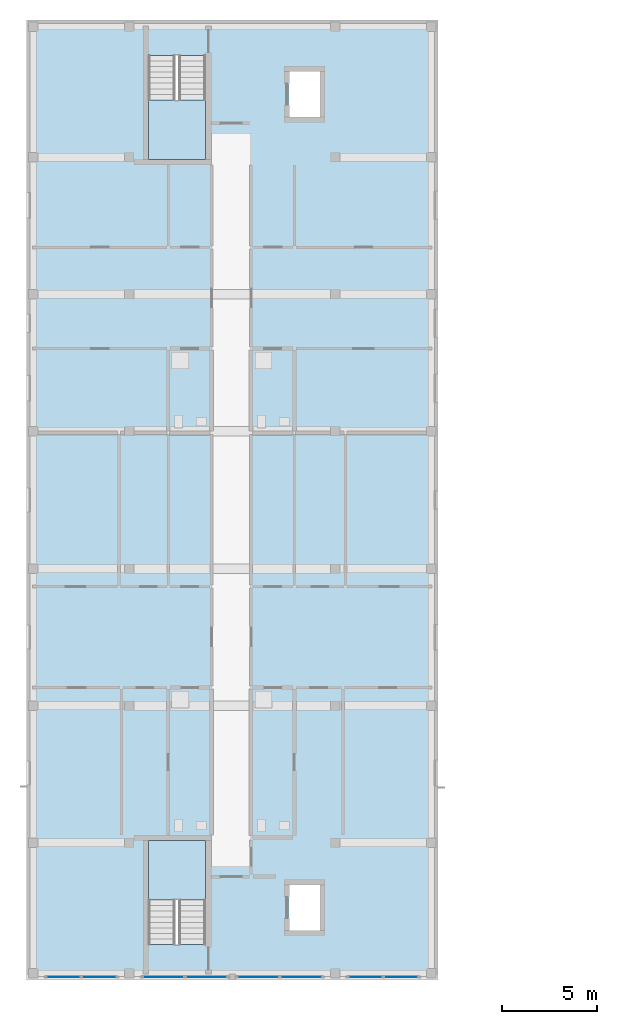
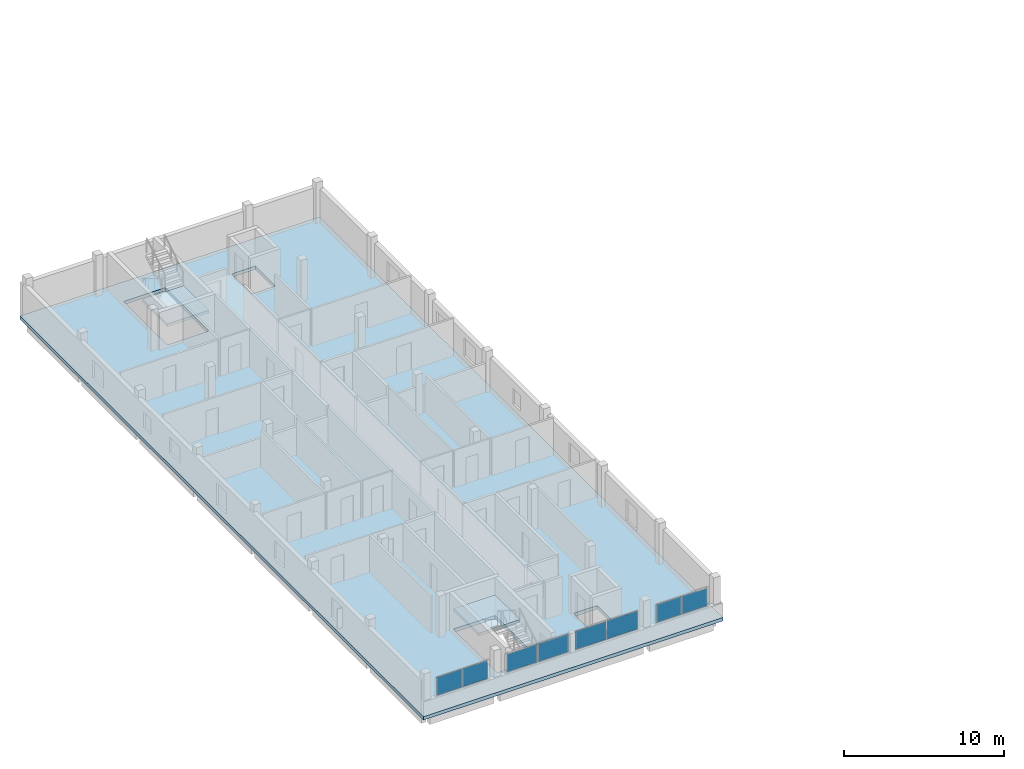
# One storey, part 4 of 16: 8 plates, 3 slabs, 6 elements without a shape of their own.
"""IFC4 building model written with IfcOpenShell, lengths in metres."""

import ifcopenshell
import ifcopenshell.guid

model = None  # the IFC model being written
_history = None  # IfcOwnerHistory: only IFC2X3 demands one
_inside = {}  # id of a spatial element -> (the spatial element, [elements in it])
_under = {}  # id of a project, library or spatial element -> (it, [spatial elements below it])
_declared = {}  # id of a project -> (the project, [libraries it declares])
_typed = {}  # id of a type object -> (the type object, [elements of that type])
_made_of = {}  # id of a material, layer set ... -> (it, [elements and type objects made of it])


def new_model(schema):
    """Start an empty IFC model of exactly this schema.

    Asked for "IFC4X3", IfcOpenShell would pick the latest addendum, in which some entities
    have other attributes; the version numbers below select the first issue.
    IFC2X3 requires an IfcOwnerHistory on every rooted entity: one is made here for all.
    """
    global model, _history
    if schema == "IFC4X3":
        model = ifcopenshell.file(schema_version=(4, 3, 0, 0))
    else:
        model = ifcopenshell.file(schema=schema)
    _inside.clear()
    _under.clear()
    _declared.clear()
    _typed.clear()
    _made_of.clear()
    _history = None
    if model.schema == "IFC2X3":
        org = make("IfcOrganization", Name="unknown")
        user = make(
            "IfcPersonAndOrganization",
            ThePerson=make("IfcPerson", FamilyName="unknown"),
            TheOrganization=org,
        )
        app = make(
            "IfcApplication",
            ApplicationDeveloper=org,
            Version="unknown",
            ApplicationFullName="unknown",
            ApplicationIdentifier="unknown",
        )
        _history = make(
            "IfcOwnerHistory",
            OwningUser=user,
            OwningApplication=app,
            ChangeAction="ADDED",
            CreationDate=0,
        )
    return model


def make(cls, **values):
    """One entity of the class cls with the attributes given. An attribute that is None is left unset."""
    return model.create_entity(
        cls, **{name: value for name, value in values.items() if value is not None}
    )


def rooted(cls, **values):
    """An entity with a GlobalId (a new one), such as an element, a storey or a relation."""
    return make(cls, GlobalId=ifcopenshell.guid.new(), OwnerHistory=_history, **values)


def si_unit(unit_type, name, prefix=None):
    """IfcSIUnit, for example si_unit("LENGTHUNIT", "METRE", prefix="MILLI")."""
    return make("IfcSIUnit", UnitType=unit_type, Prefix=prefix, Name=name)


def derived_unit(unit_type, elements):
    """IfcDerivedUnit: a product of units, each with its exponent."""
    return make(
        "IfcDerivedUnit",
        Elements=[
            make("IfcDerivedUnitElement", Unit=unit, Exponent=power)
            for unit, power in elements
        ],
        UnitType=unit_type,
    )


def assignment(units):
    """IfcUnitAssignment: the units of a project."""
    return None if units is None else make("IfcUnitAssignment", Units=units)


def point(xyz):
    """IfcCartesianPoint."""
    return None if xyz is None else make("IfcCartesianPoint", Coordinates=xyz)


def direction(xyz):
    """IfcDirection."""
    return None if xyz is None else make("IfcDirection", DirectionRatios=xyz)


def frame(location, z_axis=None, x_axis=None):
    """IfcAxis2Placement3D, a coordinate frame: its origin and axes. An axis left out is left unset."""
    return make(
        "IfcAxis2Placement3D",
        Location=point(location),
        Axis=direction(z_axis),
        RefDirection=direction(x_axis),
    )


def frame_2d(location, x_axis=None):
    """IfcAxis2Placement2D, a coordinate frame in the plane: its origin and x axis."""
    return make(
        "IfcAxis2Placement2D", Location=point(location), RefDirection=direction(x_axis)
    )


def origin():
    """The frame at (0, 0, 0) with its axes left unset."""
    return frame((0.0, 0.0, 0.0))


def origin_2d():
    """The frame at (0, 0) in the plane with its x axis left unset."""
    return frame_2d((0.0, 0.0))


def place(relative_to, where):
    """IfcLocalPlacement: puts the frame where relative to a parent placement (None: the world)."""
    return make(
        "IfcLocalPlacement", PlacementRelTo=relative_to, RelativePlacement=where
    )


def context(
    kind, dimensions, precision=None, world=None, true_north=None, identifier=None
):
    """IfcGeometricRepresentationContext, for example the 3D "Model" context."""
    return make(
        "IfcGeometricRepresentationContext",
        ContextIdentifier=identifier,
        ContextType=kind,
        CoordinateSpaceDimension=dimensions,
        Precision=precision,
        WorldCoordinateSystem=world,
        TrueNorth=true_north,
    )


def subcontext(parent, identifier, kind, view, scale=None):
    """IfcGeometricRepresentationSubContext, for example "Body" below "Model"."""
    return make(
        "IfcGeometricRepresentationSubContext",
        ContextIdentifier=identifier,
        ContextType=kind,
        ParentContext=parent,
        TargetScale=scale,
        TargetView=view,
    )


def project(units=None, contexts=None):
    """IfcProject with its units and contexts."""
    return rooted(
        "IfcProject",
        Name="project",
        RepresentationContexts=contexts,
        UnitsInContext=assignment(units),
    )


def spatial(cls, under=None, at=None, **own):
    """A site, building, storey or space (cls), placed at a placement, below another one or the project."""
    s = rooted(cls, ObjectPlacement=at, **own)
    if under is not None:
        _under.setdefault(under.id(), (under, []))[1].append(s)
    return s


def polyline(points):
    """IfcPolyline through the points."""
    return make("IfcPolyline", Points=[point(p) for p in points])


def profile(cls, at=None, kind="AREA", **sizes):
    """A parametric profile (cls). Its sizes go by their IFC names, for example OverallWidth=200.0."""
    return make(cls, ProfileType=kind, Position=at, **sizes)


def rectangle(**sizes):
    """IfcRectangleProfileDef."""
    return profile("IfcRectangleProfileDef", **sizes)


def outline(outer, holes=None, kind="AREA"):
    """IfcArbitraryClosedProfileDef: a profile drawn as a closed curve; with holes, ...WithVoids."""
    if holes is None:
        return make("IfcArbitraryClosedProfileDef", ProfileType=kind, OuterCurve=outer)
    return make(
        "IfcArbitraryProfileDefWithVoids",
        ProfileType=kind,
        OuterCurve=outer,
        InnerCurves=holes,
    )


def extrude(swept, where, along, depth):
    """IfcExtrudedAreaSolid: the profile swept, set in the frame where, extruded along a direction by depth."""
    return make(
        "IfcExtrudedAreaSolid",
        SweptArea=swept,
        Position=where,
        ExtrudedDirection=direction(along),
        Depth=depth,
    )


def shape(context_of_items, identifier, shape_type, items):
    """IfcShapeRepresentation: the items that make up one representation, for example the "Body"."""
    return make(
        "IfcShapeRepresentation",
        ContextOfItems=context_of_items,
        RepresentationIdentifier=identifier,
        RepresentationType=shape_type,
        Items=items,
    )


def material(Name=None, Category=None):
    """IfcMaterial."""
    return make("IfcMaterial", Name=Name, Category=Category)


def layer(
    of_material, thickness, ventilated=None, Name=None, Category=None, Priority=None
):
    """IfcMaterialLayer: one layer of a wall or slab, of a material (None: an air gap)."""
    return make(
        "IfcMaterialLayer",
        Material=of_material,
        LayerThickness=thickness,
        IsVentilated=ventilated,
        Name=Name,
        Category=Category,
        Priority=Priority,
    )


def layer_set(layers, Name=None):
    """IfcMaterialLayerSet."""
    return make("IfcMaterialLayerSet", MaterialLayers=layers, LayerSetName=Name)


def made_of(thing, what):
    """Note that an element or type object is made of a material, layer set ...; save() writes the relation."""
    if what is not None:
        _made_of.setdefault(what.id(), (what, []))[1].append(thing)
    return thing


def type_object(cls, material=None, **own):
    """A type object (cls), such as IfcWallType, which elements share."""
    return made_of(rooted(cls, **own), material)


def element(
    cls,
    number,
    at=None,
    inside=None,
    cuts=None,
    type_object=None,
    material=None,
    context=None,
    identifier="Body",
    shape_type=None,
    held_by="IfcProductDefinitionShape",
    body=None,
    shapes=None,
    **own,
):
    """One element of the class cls, such as IfcWall. Its Tag is "e" and its number.

    at: its placement. inside: the storey or other place that contains it. cuts: it is an
    opening in that element (IfcRelVoidsElement). A single representation is given by context,
    identifier, shape_type and body (its items); several are given by shapes. held_by: the class
    of the entity that holds the representations. save() writes the other relations.
    """
    e = rooted(cls, Tag="e%d" % number, ObjectPlacement=at, **own)
    if body is not None:
        shapes = [shape(context, identifier, shape_type, body)]
    if shapes is not None:
        e.Representation = make(held_by, Representations=shapes)
    if inside is not None:
        _inside.setdefault(inside.id(), (inside, []))[1].append(e)
    if cuts is not None:
        rooted(
            "IfcRelVoidsElement", RelatingBuildingElement=cuts, RelatedOpeningElement=e
        )
    if type_object is not None:
        _typed.setdefault(type_object.id(), (type_object, []))[1].append(e)
    return made_of(e, material)


def aggregate(whole, parts):
    """IfcRelAggregates: a whole, such as a stair, and the parts it consists of."""
    return rooted("IfcRelAggregates", RelatingObject=whole, RelatedObjects=parts)


def save(model, path):
    """Write the relations noted so far, then the file.

    IfcRelAggregates (storeys below a building ...), IfcRelContainedInSpatialStructure (elements
    in a storey), IfcRelDefinesByType, IfcRelAssociatesMaterial and IfcRelDeclares: one each for
    every whole, place, type object, material and project.
    """
    for whole, parts in _under.values():
        aggregate(whole, parts)
    for where, things in _inside.values():
        rooted(
            "IfcRelContainedInSpatialStructure",
            RelatedElements=things,
            RelatingStructure=where,
        )
    for kind, things in _typed.values():
        rooted("IfcRelDefinesByType", RelatedObjects=things, RelatingType=kind)
    for what, things in _made_of.values():
        rooted("IfcRelAssociatesMaterial", RelatedObjects=things, RelatingMaterial=what)
    for by, libraries in _declared.values():
        rooted("IfcRelDeclares", RelatingContext=by, RelatedDefinitions=libraries)
    model.write(path)


model = new_model("IFC4")

# Units and contexts
model_context = context("Model", 3, precision=1e-05, world=origin(), true_north=direction((0.0, 1.0)))
body_context = subcontext(model_context, "Body", "Model", "MODEL_VIEW")
ifc_project = project(units=[si_unit("LENGTHUNIT", "METRE"), si_unit("AREAUNIT", "SQUARE_METRE"), si_unit("VOLUMEUNIT", "CUBIC_METRE"), si_unit("PLANEANGLEUNIT", "RADIAN"), si_unit("MASSUNIT", "GRAM", prefix="KILO"), derived_unit("THERMALTRANSMITTANCEUNIT", [(si_unit("MASSUNIT", "GRAM", prefix="KILO"), 1), (si_unit("TIMEUNIT", "SECOND"), -3), (si_unit("THERMODYNAMICTEMPERATUREUNIT", "KELVIN"), -1)])], contexts=[model_context])

# Site, building, storey
site_placement = place(None, origin())
site = spatial("IfcSite", under=ifc_project, at=site_placement, CompositionType="ELEMENT")
building_placement = place(site_placement, origin())
building = spatial("IfcBuilding", under=site, at=building_placement, Name="Ochrekiln Boulevard Commons", CompositionType="ELEMENT")
storey_placement = place(building_placement, frame((0.0, 0.0, 43.574951171875)))
storey = spatial("IfcBuildingStorey", under=building, at=storey_placement, Name="L13", CompositionType="ELEMENT", Elevation=43.574951171875)

# Curtain wall, plates
ifc_material_1 = material(Name="Bronze-anodized extruded aluminium 6063-T6", Category="aluminium")
ifc_layer_1 = layer(ifc_material_1, 0.172119140625)
ifc_layer_set_1 = layer_set([ifc_layer_1], Name="Bronze-anodized extruded aluminium 6063-T6")
curtain_wall_type = type_object("IfcCurtainWallType", Name="CW-GABLE-A", PredefinedType="USERDEFINED", material=ifc_layer_set_1)
curtain_wall_1_placement = place(storey_placement, origin())
curtain_wall_1 = element("IfcCurtainWall", 1, at=curtain_wall_1_placement, inside=storey, type_object=curtain_wall_type, Name="Block A L13 Courtyard Glazed Gable Curtain Wall 4", ObjectType="GLAZED CURTAIN WALL", PredefinedType="USERDEFINED")
ifc_material_2 = material(Name="Spectrally selective low-E insulated glazing", Category="glass")
ifc_layer_2 = layer(ifc_material_2, 0.02392578125)
ifc_layer_set_2 = layer_set([ifc_layer_2], Name="Spectrally selective low-E insulated glazing")
plate_type_1 = type_object("IfcPlateType", Name="CWP-GLZ-1", PredefinedType="CURTAIN_PANEL", material=ifc_layer_set_2)
plate_1_placement = place(storey_placement, frame((17.788818359375, 68.56005859375, 1.1748046875), z_axis=(0.0, 0.0, 1.0), x_axis=(1.0, 0.0, 0.0)))
plate_1 = element("IfcPlate", 2, at=plate_1_placement, type_object=plate_type_1, Name="CW-01 panel 1.1", PredefinedType="CURTAIN_PANEL", context=body_context, shape_type="SweptSolid", body=[
    extrude(rectangle(XDim=1.8076171875, YDim=0.02392578125, at=origin_2d()), origin(), (0.0, 0.0, 1.0), 1.360107421875),
])
plate_2_placement = place(storey_placement, frame((19.6611328125, 68.56005859375, 1.1748046875), z_axis=(0.0, 0.0, 1.0), x_axis=(1.0, 0.0, 0.0)))
plate_2 = element("IfcPlate", 3, at=plate_2_placement, type_object=plate_type_1, Name="CW-01 panel 2.1", PredefinedType="CURTAIN_PANEL", context=body_context, shape_type="SweptSolid", body=[
    extrude(rectangle(XDim=1.8076171875, YDim=0.02392578125, at=origin_2d()), origin(), (0.0, 0.0, 1.0), 1.360107421875),
])
aggregate(curtain_wall_1, [plate_1, plate_2])

curtain_wall_2_placement = place(storey_placement, origin())
curtain_wall_2 = element("IfcCurtainWall", 4, at=curtain_wall_2_placement, inside=storey, type_object=curtain_wall_type, Name="Block A L13 Courtyard Glazed Gable Curtain Wall 1", ObjectType="GLAZED CURTAIN WALL", PredefinedType="USERDEFINED")
ifc_layer_3 = layer(ifc_material_2, 0.030029296875)
ifc_layer_set_3 = layer_set([ifc_layer_3], Name="Spectrally selective low-E insulated glazing")
plate_type_2 = type_object("IfcPlateType", Name="CWP-GLZ-2", PredefinedType="CURTAIN_PANEL", material=ifc_layer_set_3)
plate_3_placement = place(storey_placement, frame((1.9375, 68.56005859375, 1.169921875), z_axis=(0.0, 0.0, 1.0), x_axis=(1.0, 0.0, 0.0)))
plate_3 = element("IfcPlate", 5, at=plate_3_placement, type_object=plate_type_2, Name="CW-01 panel 1.1", PredefinedType="CURTAIN_PANEL", context=body_context, shape_type="SweptSolid", body=[
    extrude(rectangle(XDim=1.81494140625, YDim=0.030029296875, at=origin_2d()), origin(), (0.0, 0.0, 1.0), 1.3701171875),
])
plate_4_placement = place(storey_placement, frame((3.8125, 68.56005859375, 1.169921875), z_axis=(0.0, 0.0, 1.0), x_axis=(1.0, 0.0, 0.0)))
plate_4 = element("IfcPlate", 6, at=plate_4_placement, type_object=plate_type_2, Name="CW-01 panel 2.1", PredefinedType="CURTAIN_PANEL", context=body_context, shape_type="SweptSolid", body=[
    extrude(rectangle(XDim=1.81494140625, YDim=0.030029296875, at=origin_2d()), origin(), (0.0, 0.0, 1.0), 1.3701171875),
])
aggregate(curtain_wall_2, [plate_3, plate_4])

curtain_wall_3_placement = place(storey_placement, origin())
curtain_wall_3 = element("IfcCurtainWall", 7, at=curtain_wall_3_placement, inside=storey, type_object=curtain_wall_type, Name="Block A L13 Courtyard Glazed Gable Curtain Wall 2", ObjectType="GLAZED CURTAIN WALL", PredefinedType="USERDEFINED")
ifc_layer_4 = layer(ifc_material_2, 0.035888671875)
ifc_layer_set_4 = layer_set([ifc_layer_4], Name="Spectrally selective low-E insulated glazing")
plate_type_3 = type_object("IfcPlateType", Name="CWP-GLZ-3", PredefinedType="CURTAIN_PANEL", material=ifc_layer_set_4)
plate_5_placement = place(storey_placement, frame((7.18115234375, 68.56005859375, 1.1748046875), z_axis=(0.0, 0.0, 1.0), x_axis=(1.0, 0.0, 0.0)))
plate_5 = element("IfcPlate", 8, at=plate_5_placement, type_object=plate_type_3, Name="CW-01 panel 1.1", PredefinedType="CURTAIN_PANEL", context=body_context, shape_type="SweptSolid", body=[
    extrude(rectangle(XDim=2.1923828125, YDim=0.035888671875, at=origin_2d()), origin(), (0.0, 0.0, 1.0), 1.360107421875),
])
plate_6_placement = place(storey_placement, frame((9.438720703125, 68.56005859375, 1.1748046875), z_axis=(0.0, 0.0, 1.0), x_axis=(1.0, 0.0, 0.0)))
plate_6 = element("IfcPlate", 9, at=plate_6_placement, type_object=plate_type_3, Name="CW-01 panel 2.1", PredefinedType="CURTAIN_PANEL", context=body_context, shape_type="SweptSolid", body=[
    extrude(rectangle(XDim=2.1923828125, YDim=0.035888671875, at=origin_2d()), origin(), (0.0, 0.0, 1.0), 1.360107421875),
])
aggregate(curtain_wall_3, [plate_5, plate_6])

curtain_wall_4_placement = place(storey_placement, origin())
curtain_wall_4 = element("IfcCurtainWall", 10, at=curtain_wall_4_placement, inside=storey, type_object=curtain_wall_type, Name="Block A L13 Courtyard Glazed Gable Curtain Wall 3", ObjectType="GLAZED CURTAIN WALL", PredefinedType="USERDEFINED")
ifc_layer_5 = layer(ifc_material_2, 0.0419921875)
ifc_layer_set_5 = layer_set([ifc_layer_5], Name="Spectrally selective low-E insulated glazing")
plate_type_4 = type_object("IfcPlateType", Name="CWP-GLZ-4", PredefinedType="CURTAIN_PANEL", material=ifc_layer_set_5)
plate_7_placement = place(storey_placement, frame((12.159912109375, 68.56005859375, 1.169921875), z_axis=(0.0, 0.0, 1.0), x_axis=(1.0, 0.0, 0.0)))
plate_7 = element("IfcPlate", 11, at=plate_7_placement, type_object=plate_type_4, Name="CW-01 panel 1.1", PredefinedType="CURTAIN_PANEL", context=body_context, shape_type="SweptSolid", body=[
    extrude(rectangle(XDim=2.199951171875, YDim=0.0419921875, at=origin_2d()), origin(), (0.0, 0.0, 1.0), 1.3701171875),
])
plate_8_placement = place(storey_placement, frame((14.419921875, 68.56005859375, 1.169921875), z_axis=(0.0, 0.0, 1.0), x_axis=(1.0, 0.0, 0.0)))
plate_8 = element("IfcPlate", 12, at=plate_8_placement, type_object=plate_type_4, Name="CW-01 panel 2.1", PredefinedType="CURTAIN_PANEL", context=body_context, shape_type="SweptSolid", body=[
    extrude(rectangle(XDim=2.199951171875, YDim=0.0419921875, at=origin_2d()), origin(), (0.0, 0.0, 1.0), 1.3701171875),
])
aggregate(curtain_wall_4, [plate_7, plate_8])

# Stair, slab
ifc_material_3 = material(Name="Concrete C35/45", Category="concrete")
stair_type = type_object("IfcStairType", Name="STR-DL-315", PredefinedType="TWO_STRAIGHT_RUN_STAIR", material=ifc_material_3)
stair_1_placement = place(storey_placement, origin())
stair_1 = element("IfcStair", 13, at=stair_1_placement, inside=storey, type_object=stair_type, Name="L13 Enclosed Exit Stair ST-A1", PredefinedType="TWO_STRAIGHT_RUN_STAIR")
ifc_layer_6 = layer(ifc_material_3, 0.199951171875)
ifc_layer_set_6 = layer_set([ifc_layer_6], Name="Concrete C35/45")
slab_type_1 = type_object("IfcSlabType", Name="SLB-LND-200", PredefinedType="LANDING", material=ifc_layer_set_6)
slab_1_placement = place(storey_placement, frame((0.0, 0.0, 1.375)))
slab_1 = element("IfcSlab", 14, at=slab_1_placement, type_object=slab_type_1, Name="ST-A1 landing 1", PredefinedType="LANDING", context=body_context, shape_type="SweptSolid", body=[
    extrude(outline(polyline([(9.39990234375, 72.590087890625), (9.39990234375, 75.719970703125), (6.39990234375, 75.719970703125), (6.39990234375, 72.590087890625), (9.39990234375, 72.590087890625)])), origin(), (0.0, 0.0, 1.0), 0.199951171875),
])
aggregate(stair_1, [slab_1])

stair_2_placement = place(storey_placement, origin())
stair_2 = element("IfcStair", 15, at=stair_2_placement, inside=storey, type_object=stair_type, Name="L13 Enclosed Exit Stair ST-A2", PredefinedType="TWO_STRAIGHT_RUN_STAIR")
slab_2_placement = place(storey_placement, frame((0.0, 0.0, 1.375)))
slab_2 = element("IfcSlab", 16, at=slab_2_placement, type_object=slab_type_1, Name="ST-A2 landing 1", PredefinedType="LANDING", context=body_context, shape_type="SweptSolid", body=[
    extrude(outline(polyline([(6.39990234375, 114.610107421875), (6.39990234375, 111.47998046875), (9.39990234375, 111.47998046875), (9.39990234375, 114.610107421875), (6.39990234375, 114.610107421875)])), origin(), (0.0, 0.0, 1.0), 0.199951171875),
])
aggregate(stair_2, [slab_2])

# Slab
ifc_layer_7 = layer(ifc_material_3, 0.260009765625)
ifc_layer_set_7 = layer_set([ifc_layer_7], Name="Concrete C35/45")
slab_type_2 = type_object("IfcSlabType", Name="SLB-RES-260", PredefinedType="FLOOR", material=ifc_layer_set_7)
slab_3_placement = place(storey_placement, frame((0.0, 0.0, -0.260009765625)))
element("IfcSlab", 17, at=slab_3_placement, inside=storey, type_object=slab_type_2, Name="Block A L13 Reinforced Concrete Floor Slab", PredefinedType="FLOOR", context=body_context, shape_type="SweptSolid", body=[
    extrude(outline(polyline([(0.0, 68.39990234375), (21.60009765625, 68.39990234375), (21.60009765625, 118.800048828125), (0.0, 118.800048828125), (0.0, 68.39990234375)]), holes=[polyline([(9.39990234375, 70.2705078125), (9.39990234375, 75.719970703125), (6.39990234375, 75.719970703125), (6.39990234375, 70.2705078125), (9.39990234375, 70.2705078125)]), polyline([(6.39990234375, 116.929443359375), (6.39990234375, 111.47998046875), (9.39990234375, 111.47998046875), (9.39990234375, 116.929443359375), (6.39990234375, 116.929443359375)]), polyline([(13.75, 70.949951171875), (15.449951171875, 70.949951171875), (15.449951171875, 73.449951171875), (13.75, 73.449951171875), (13.75, 70.949951171875)]), polyline([(13.75, 113.64990234375), (15.449951171875, 113.64990234375), (15.449951171875, 116.14990234375), (13.75, 116.14990234375), (13.75, 113.64990234375)])]), origin(), (0.0, 0.0, 1.0), 0.260009765625),
])

save(model, "model.ifc")
